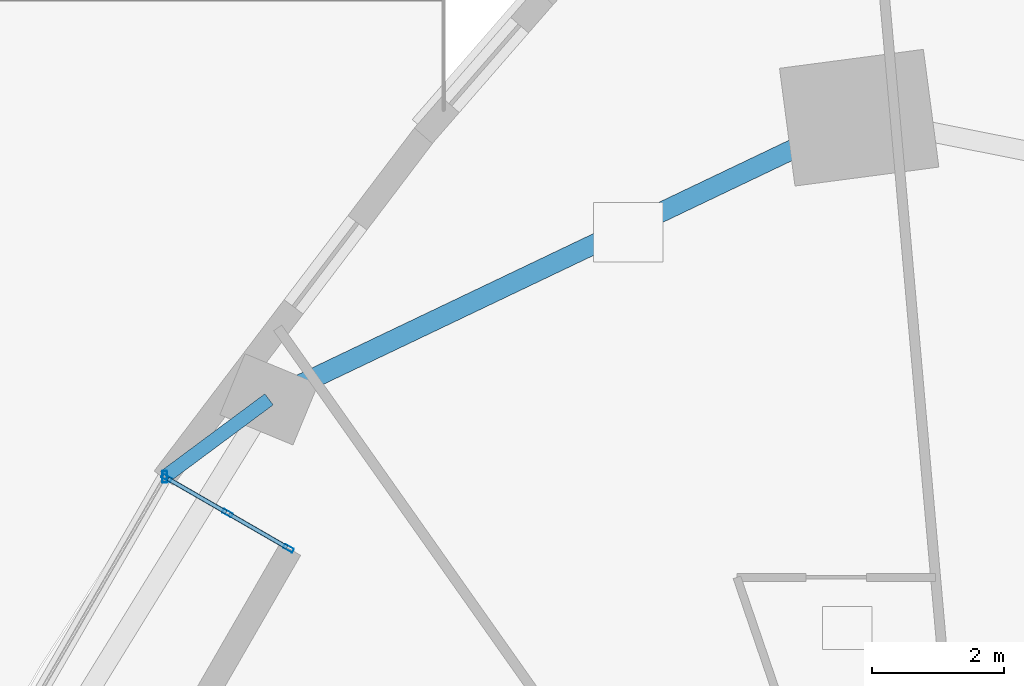
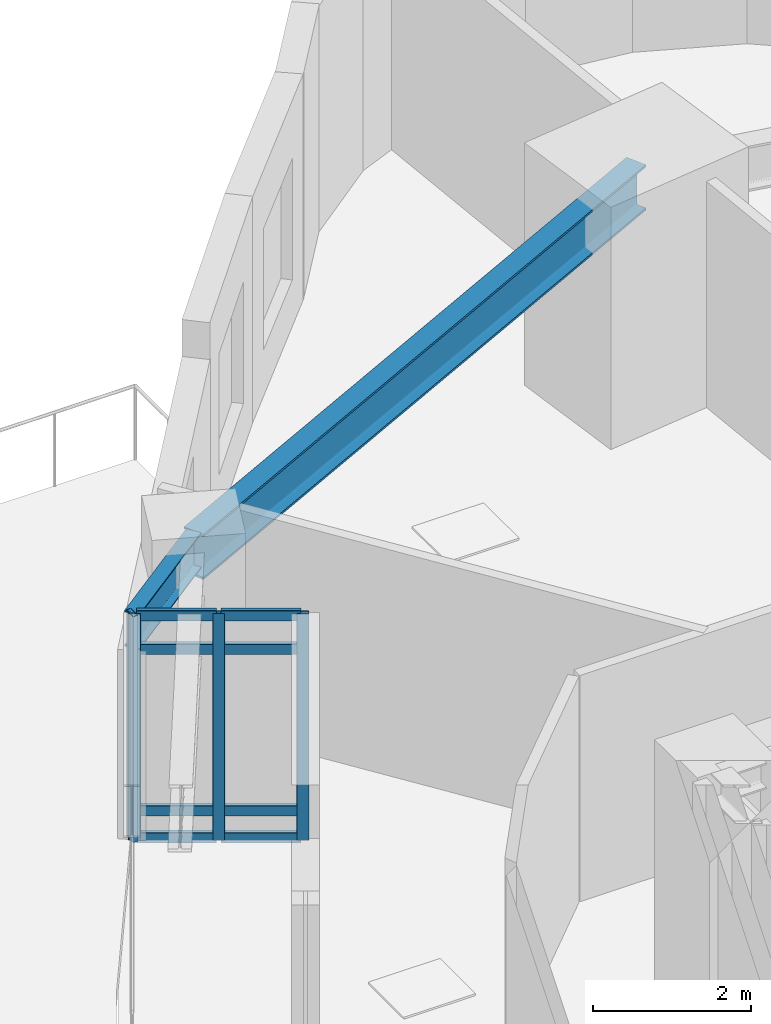
# One storey, part 5 of 15: 12 members, 2 beams, 1 element without a shape of its own.
"""IFC4 building model written with IfcOpenShell, lengths in metres."""

from ifc_helpers import new_model, si_unit, direction, frame, origin, origin_2d, place, context, subcontext, project, spatial, hollow_rectangle, i_section, extrude, material, layer, layer_set, material_profile, profile_set, type_object, element, aggregate, save


model = new_model("IFC4")

# Units and contexts
model_context = context("Model", 3, precision=1e-05, world=origin(), true_north=direction((0.0, 1.0)))
body_context = subcontext(model_context, "Body", "Model", "MODEL_VIEW")
ifc_project = project(units=[si_unit("LENGTHUNIT", "METRE"), si_unit("AREAUNIT", "SQUARE_METRE"), si_unit("VOLUMEUNIT", "CUBIC_METRE"), si_unit("PLANEANGLEUNIT", "RADIAN"), si_unit("MASSUNIT", "GRAM", prefix="KILO")], contexts=[model_context])

# Site, building, storey
site_placement = place(None, origin())
site = spatial("IfcSite", under=ifc_project, at=site_placement, CompositionType="ELEMENT")
building_placement = place(site_placement, origin())
building = spatial("IfcBuilding", under=site, at=building_placement, Name="Ndelora Gate Hotel", CompositionType="ELEMENT")
storey_placement = place(building_placement, frame((0.0, 0.0, 30.5)))
storey = spatial("IfcBuildingStorey", under=building, at=storey_placement, Name="L06", CompositionType="ELEMENT", Elevation=30.5)

# Beams
ifc_material_1 = material(Name="Steel S355", Category="steel")
ifc_material_profile_1 = material_profile(ifc_material_1, i_section(OverallWidth=0.2099609375, OverallDepth=0.550048828125, WebThickness=0.010986328125, FlangeThickness=0.01708984375, FilletRadius=0.02392578125, at=origin_2d()), Name="IPE 550")
ifc_profile_set_1 = profile_set([ifc_material_profile_1], Name="Steel S355")
beam_type_1 = type_object("IfcBeamType", Name="BM-RAD-550", PredefinedType="BEAM", material=ifc_profile_set_1)
beam_1_placement = place(storey_placement, frame((-11.1484375, 14.529052734375, 3.22509765625), z_axis=(-0.802801463818, -0.596246433693, 0.0), x_axis=(0.596246433693, -0.802801463818, 0.0)))
element("IfcBeam", 1, at=beam_1_placement, inside=storey, type_object=beam_type_1, Name="L06 Sky-Garden Loggia Column Bracket 1", PredefinedType="BEAM", context=body_context, shape_type="SweptSolid", body=[
    extrude(i_section(OverallWidth=0.2099609375, OverallDepth=0.550048828125, WebThickness=0.010986328125, FlangeThickness=0.01708984375, FilletRadius=0.02392578125, at=origin_2d()), origin(), (0.0, 0.0, 1.0), 1.97021484375),
])
ifc_material_profile_2 = material_profile(ifc_material_1, i_section(OverallWidth=0.300048828125, OverallDepth=0.699951171875, WebThickness=0.01708984375, FlangeThickness=0.031982421875, FilletRadius=0.027099609375, at=origin_2d()), Name="HEB 700")
ifc_profile_set_2 = profile_set([ifc_material_profile_2], Name="Steel S355")
beam_type_2 = type_object("IfcBeamType", Name="BM-RING-700", PredefinedType="SPANDREL", material=ifc_profile_set_2)
beam_2_placement = place(storey_placement, frame((-2.199951171875, 18.800048828125, 3.14990234375), z_axis=(-0.902476034566, -0.43074006899, 0.0), x_axis=(0.43074006899, -0.902476034566, 0.0)))
element("IfcBeam", 2, at=beam_2_placement, inside=storey, type_object=beam_type_2, Name="L06 Perimeter Spandrel Girder 1", PredefinedType="SPANDREL", context=body_context, shape_type="SweptSolid", body=[
    extrude(i_section(OverallWidth=0.300048828125, OverallDepth=0.699951171875, WebThickness=0.01708984375, FlangeThickness=0.031982421875, FilletRadius=0.027099609375, at=origin_2d()), origin(), (0.0, 0.0, 1.0), 9.91552734375),
])

# Curtain wall, members
ifc_material_2 = material(Name="Bronze Anodised Unitised Aluminium and Low-E Glass", Category="aluminium")
ifc_layer = layer(ifc_material_2, 0.199951171875)
ifc_layer_set = layer_set([ifc_layer], Name="Bronze Anodised Unitised Aluminium and Low-E Glass")
curtain_wall_type = type_object("IfcCurtainWallType", Name="CW-SYS-3", PredefinedType="NOTDEFINED", material=ifc_layer_set)
curtain_wall_placement = place(storey_placement, origin())
curtain_wall = element("IfcCurtainWall", 3, at=curtain_wall_placement, inside=storey, type_object=curtain_wall_type, Name="L06 Sky-Garden Loggia Side Curtain Wall CW3-1", PredefinedType="NOTDEFINED")
ifc_material_3 = material(Name="Bronze Anodised Aluminium 6063-T6", Category="aluminium")
ifc_material_profile_3 = material_profile(ifc_material_3, hollow_rectangle(XDim=0.06494140625, YDim=0.159912109375, WallThickness=0.00390625, InnerFilletRadius=0.00390625, OuterFilletRadius=0.008056640625, at=origin_2d()), Name="ALU 160x65x4")
ifc_profile_set_3 = profile_set([ifc_material_profile_3], Name="Bronze Anodised Aluminium 6063-T6")
member_type_1 = type_object("IfcMemberType", Name="MB-CW-MUL150", PredefinedType="MULLION", material=ifc_profile_set_3)
member_1_placement = place(storey_placement, frame((-10.85302734375, 12.2705078125, -0.00390625), z_axis=(0.0, 0.0, 1.0), x_axis=(-0.499991317892, -0.866030416344, 0.0)))
member_1 = element("IfcMember", 4, at=member_1_placement, type_object=member_type_1, Name="CW3 mullion 1", PredefinedType="MULLION", context=body_context, shape_type="SweptSolid", body=[
    extrude(hollow_rectangle(XDim=0.06494140625, YDim=0.159912109375, WallThickness=0.00390625, InnerFilletRadius=0.00390625, OuterFilletRadius=0.008056640625, at=origin_2d()), origin(), (0.0, 0.0, 1.0), 3.5078125),
])
member_2_placement = place(storey_placement, frame((-11.777587890625, 12.80419921875, -0.00390625), z_axis=(0.0, 0.0, 1.0), x_axis=(-0.499991317892, -0.866030416344, 0.0)))
member_2 = element("IfcMember", 5, at=member_2_placement, type_object=member_type_1, Name="CW3 mullion 2", PredefinedType="MULLION", context=body_context, shape_type="SweptSolid", body=[
    extrude(hollow_rectangle(XDim=0.06494140625, YDim=0.159912109375, WallThickness=0.00390625, InnerFilletRadius=0.00390625, OuterFilletRadius=0.008056640625, at=origin_2d()), origin(), (0.0, 0.0, 1.0), 3.5078125),
])
member_3_placement = place(storey_placement, frame((-12.7021484375, 13.337890625, -0.00390625), z_axis=(0.0, 0.0, 1.0), x_axis=(-0.499991317892, -0.866030416344, 0.0)))
member_3 = element("IfcMember", 6, at=member_3_placement, type_object=member_type_1, Name="CW3 mullion 3", PredefinedType="MULLION", context=body_context, shape_type="SweptSolid", body=[
    extrude(hollow_rectangle(XDim=0.06494140625, YDim=0.159912109375, WallThickness=0.00390625, InnerFilletRadius=0.00390625, OuterFilletRadius=0.008056640625, at=origin_2d()), origin(), (0.0, 0.0, 1.0), 3.5078125),
])
ifc_material_profile_4 = material_profile(ifc_material_3, hollow_rectangle(XDim=0.070068359375, YDim=0.179931640625, WallThickness=0.0048828125, InnerFilletRadius=0.0048828125, OuterFilletRadius=0.010009765625, at=origin_2d()), Name="ALU 180x70x5")
ifc_profile_set_4 = profile_set([ifc_material_profile_4], Name="Bronze Anodised Aluminium 6063-T6")
member_type_2 = type_object("IfcMemberType", Name="MB-CW-MUL180", PredefinedType="MULLION", material=ifc_profile_set_4)
member_4_placement = place(storey_placement, frame((-12.730224609375, 13.354248046875, 0.0), z_axis=(0.0, 0.0, 1.0), x_axis=(1.0, 0.0, 0.0)))
member_4 = element("IfcMember", 7, at=member_4_placement, type_object=member_type_2, Name="L06 Sky-Garden Loggia Corner Mullion Post 1", PredefinedType="MULLION", context=body_context, shape_type="SweptSolid", body=[
    extrude(hollow_rectangle(XDim=0.070068359375, YDim=0.179931640625, WallThickness=0.0048828125, InnerFilletRadius=0.0048828125, OuterFilletRadius=0.010009765625, at=origin_2d()), origin(), (0.0, 0.0, 1.0), 3.5),
])
ifc_material_profile_5 = material_profile(ifc_material_3, hollow_rectangle(XDim=0.06494140625, YDim=0.159912109375, WallThickness=0.00390625, InnerFilletRadius=0.00390625, OuterFilletRadius=0.008056640625, at=origin_2d()), Name="ALU 160x65x4")
ifc_profile_set_5 = profile_set([ifc_material_profile_5], Name="Bronze Anodised Aluminium 6063-T6")
member_type_3 = type_object("IfcMemberType", Name="MB-CW-TRN150", PredefinedType="USERDEFINED", material=ifc_profile_set_5)
member_5_placement = place(storey_placement, frame((-10.8759765625, 12.28369140625, 0.032470703125), z_axis=(-0.866013277291, 0.500021003115, 0.0), x_axis=(-0.500021003115, -0.866013277291, 0.0)))
member_5 = element("IfcMember", 8, at=member_5_placement, type_object=member_type_3, Name="CW3 transom 1.1", ObjectType="TRANSOM", PredefinedType="USERDEFINED", context=body_context, shape_type="SweptSolid", body=[
    extrude(hollow_rectangle(XDim=0.06494140625, YDim=0.159912109375, WallThickness=0.00390625, InnerFilletRadius=0.00390625, OuterFilletRadius=0.008056640625, at=origin_2d()), origin(), (0.0, 0.0, 1.0), 1.0146484375),
])
member_6_placement = place(storey_placement, frame((-10.8759765625, 12.28369140625, 0.449951171875), z_axis=(-0.866013277291, 0.500021003115, 0.0), x_axis=(-0.500021003115, -0.866013277291, 0.0)))
member_6 = element("IfcMember", 9, at=member_6_placement, type_object=member_type_3, Name="CW3 transom 1.2", ObjectType="TRANSOM", PredefinedType="USERDEFINED", context=body_context, shape_type="SweptSolid", body=[
    extrude(hollow_rectangle(XDim=0.06494140625, YDim=0.159912109375, WallThickness=0.00390625, InnerFilletRadius=0.00390625, OuterFilletRadius=0.008056640625, at=origin_2d()), origin(), (0.0, 0.0, 1.0), 1.0146484375),
])
member_7_placement = place(storey_placement, frame((-10.8759765625, 12.28369140625, 2.949951171875), z_axis=(-0.866013277291, 0.500021003115, 0.0), x_axis=(-0.500021003115, -0.866013277291, 0.0)))
member_7 = element("IfcMember", 10, at=member_7_placement, type_object=member_type_3, Name="CW3 transom 1.3", ObjectType="TRANSOM", PredefinedType="USERDEFINED", context=body_context, shape_type="SweptSolid", body=[
    extrude(hollow_rectangle(XDim=0.06494140625, YDim=0.159912109375, WallThickness=0.00390625, InnerFilletRadius=0.00390625, OuterFilletRadius=0.008056640625, at=origin_2d()), origin(), (0.0, 0.0, 1.0), 1.0146484375),
])
member_8_placement = place(storey_placement, frame((-10.8759765625, 12.28369140625, 3.467529296875), z_axis=(-0.866013277291, 0.500021003115, 0.0), x_axis=(-0.500021003115, -0.866013277291, 0.0)))
member_8 = element("IfcMember", 11, at=member_8_placement, type_object=member_type_3, Name="CW3 transom 1.4", ObjectType="TRANSOM", PredefinedType="USERDEFINED", context=body_context, shape_type="SweptSolid", body=[
    extrude(hollow_rectangle(XDim=0.06494140625, YDim=0.159912109375, WallThickness=0.00390625, InnerFilletRadius=0.00390625, OuterFilletRadius=0.008056640625, at=origin_2d()), origin(), (0.0, 0.0, 1.0), 1.0146484375),
])
member_9_placement = place(storey_placement, frame((-11.800537109375, 12.8173828125, 0.032470703125), z_axis=(-0.866013277291, 0.500021003115, 0.0), x_axis=(-0.500021003115, -0.866013277291, 0.0)))
member_9 = element("IfcMember", 12, at=member_9_placement, type_object=member_type_3, Name="CW3 transom 2.1", ObjectType="TRANSOM", PredefinedType="USERDEFINED", context=body_context, shape_type="SweptSolid", body=[
    extrude(hollow_rectangle(XDim=0.06494140625, YDim=0.159912109375, WallThickness=0.00390625, InnerFilletRadius=0.00390625, OuterFilletRadius=0.008056640625, at=origin_2d()), origin(), (0.0, 0.0, 1.0), 1.0146484375),
])
member_10_placement = place(storey_placement, frame((-11.800537109375, 12.8173828125, 0.449951171875), z_axis=(-0.866013277291, 0.500021003115, 0.0), x_axis=(-0.500021003115, -0.866013277291, 0.0)))
member_10 = element("IfcMember", 13, at=member_10_placement, type_object=member_type_3, Name="CW3 transom 2.2", ObjectType="TRANSOM", PredefinedType="USERDEFINED", context=body_context, shape_type="SweptSolid", body=[
    extrude(hollow_rectangle(XDim=0.06494140625, YDim=0.159912109375, WallThickness=0.00390625, InnerFilletRadius=0.00390625, OuterFilletRadius=0.008056640625, at=origin_2d()), origin(), (0.0, 0.0, 1.0), 1.0146484375),
])
member_11_placement = place(storey_placement, frame((-11.800537109375, 12.8173828125, 2.949951171875), z_axis=(-0.866013277291, 0.500021003115, 0.0), x_axis=(-0.500021003115, -0.866013277291, 0.0)))
member_11 = element("IfcMember", 14, at=member_11_placement, type_object=member_type_3, Name="CW3 transom 2.3", ObjectType="TRANSOM", PredefinedType="USERDEFINED", context=body_context, shape_type="SweptSolid", body=[
    extrude(hollow_rectangle(XDim=0.06494140625, YDim=0.159912109375, WallThickness=0.00390625, InnerFilletRadius=0.00390625, OuterFilletRadius=0.008056640625, at=origin_2d()), origin(), (0.0, 0.0, 1.0), 1.0146484375),
])
member_12_placement = place(storey_placement, frame((-11.800537109375, 12.8173828125, 3.467529296875), z_axis=(-0.866013277291, 0.500021003115, 0.0), x_axis=(-0.500021003115, -0.866013277291, 0.0)))
member_12 = element("IfcMember", 15, at=member_12_placement, type_object=member_type_3, Name="CW3 transom 2.4", ObjectType="TRANSOM", PredefinedType="USERDEFINED", context=body_context, shape_type="SweptSolid", body=[
    extrude(hollow_rectangle(XDim=0.06494140625, YDim=0.159912109375, WallThickness=0.00390625, InnerFilletRadius=0.00390625, OuterFilletRadius=0.008056640625, at=origin_2d()), origin(), (0.0, 0.0, 1.0), 1.0146484375),
])
aggregate(curtain_wall, [member_1, member_2, member_3, member_5, member_6, member_7, member_8, member_9, member_10, member_11, member_12, member_4])

save(model, "model.ifc")
